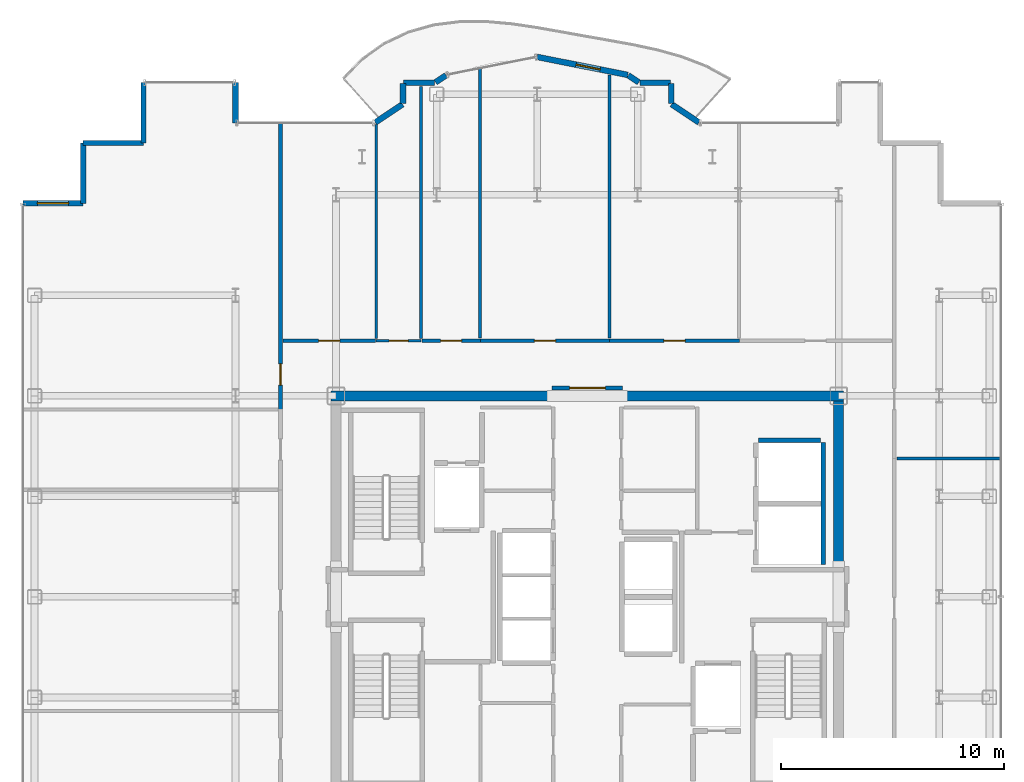
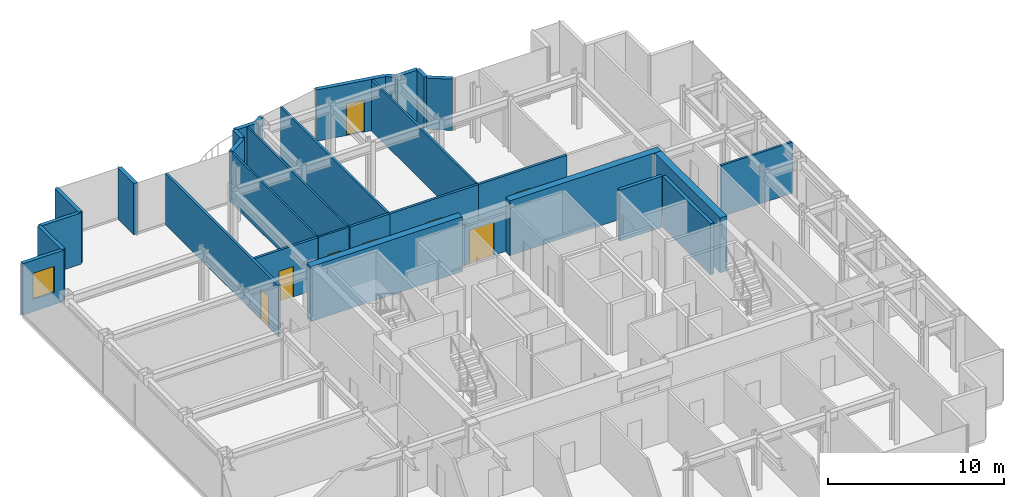
# One storey, part 14 of 17: 31 walls, 8 doors, 1 window, 9 openings.
"""IFC4 building model written with IfcOpenShell, lengths in metres."""

import ifcopenshell
import ifcopenshell.guid

model = None  # the IFC model being written
_history = None  # IfcOwnerHistory: only IFC2X3 demands one
_inside = {}  # id of a spatial element -> (the spatial element, [elements in it])
_under = {}  # id of a project, library or spatial element -> (it, [spatial elements below it])
_declared = {}  # id of a project -> (the project, [libraries it declares])
_typed = {}  # id of a type object -> (the type object, [elements of that type])
_made_of = {}  # id of a material, layer set ... -> (it, [elements and type objects made of it])


def new_model(schema):
    """Start an empty IFC model of exactly this schema.

    Asked for "IFC4X3", IfcOpenShell would pick the latest addendum, in which some entities
    have other attributes; the version numbers below select the first issue.
    IFC2X3 requires an IfcOwnerHistory on every rooted entity: one is made here for all.
    """
    global model, _history
    if schema == "IFC4X3":
        model = ifcopenshell.file(schema_version=(4, 3, 0, 0))
    else:
        model = ifcopenshell.file(schema=schema)
    _inside.clear()
    _under.clear()
    _declared.clear()
    _typed.clear()
    _made_of.clear()
    _history = None
    if model.schema == "IFC2X3":
        org = make("IfcOrganization", Name="unknown")
        user = make(
            "IfcPersonAndOrganization",
            ThePerson=make("IfcPerson", FamilyName="unknown"),
            TheOrganization=org,
        )
        app = make(
            "IfcApplication",
            ApplicationDeveloper=org,
            Version="unknown",
            ApplicationFullName="unknown",
            ApplicationIdentifier="unknown",
        )
        _history = make(
            "IfcOwnerHistory",
            OwningUser=user,
            OwningApplication=app,
            ChangeAction="ADDED",
            CreationDate=0,
        )
    return model


def make(cls, **values):
    """One entity of the class cls with the attributes given. An attribute that is None is left unset."""
    return model.create_entity(
        cls, **{name: value for name, value in values.items() if value is not None}
    )


def rooted(cls, **values):
    """An entity with a GlobalId (a new one), such as an element, a storey or a relation."""
    return make(cls, GlobalId=ifcopenshell.guid.new(), OwnerHistory=_history, **values)


def si_unit(unit_type, name, prefix=None):
    """IfcSIUnit, for example si_unit("LENGTHUNIT", "METRE", prefix="MILLI")."""
    return make("IfcSIUnit", UnitType=unit_type, Prefix=prefix, Name=name)


def assignment(units):
    """IfcUnitAssignment: the units of a project."""
    return None if units is None else make("IfcUnitAssignment", Units=units)


def point(xyz):
    """IfcCartesianPoint."""
    return None if xyz is None else make("IfcCartesianPoint", Coordinates=xyz)


def direction(xyz):
    """IfcDirection."""
    return None if xyz is None else make("IfcDirection", DirectionRatios=xyz)


def frame(location, z_axis=None, x_axis=None):
    """IfcAxis2Placement3D, a coordinate frame: its origin and axes. An axis left out is left unset."""
    return make(
        "IfcAxis2Placement3D",
        Location=point(location),
        Axis=direction(z_axis),
        RefDirection=direction(x_axis),
    )


def frame_2d(location, x_axis=None):
    """IfcAxis2Placement2D, a coordinate frame in the plane: its origin and x axis."""
    return make(
        "IfcAxis2Placement2D", Location=point(location), RefDirection=direction(x_axis)
    )


def origin():
    """The frame at (0, 0, 0) with its axes left unset."""
    return frame((0.0, 0.0, 0.0))


def place(relative_to, where):
    """IfcLocalPlacement: puts the frame where relative to a parent placement (None: the world)."""
    return make(
        "IfcLocalPlacement", PlacementRelTo=relative_to, RelativePlacement=where
    )


def context(
    kind, dimensions, precision=None, world=None, true_north=None, identifier=None
):
    """IfcGeometricRepresentationContext, for example the 3D "Model" context."""
    return make(
        "IfcGeometricRepresentationContext",
        ContextIdentifier=identifier,
        ContextType=kind,
        CoordinateSpaceDimension=dimensions,
        Precision=precision,
        WorldCoordinateSystem=world,
        TrueNorth=true_north,
    )


def subcontext(parent, identifier, kind, view, scale=None):
    """IfcGeometricRepresentationSubContext, for example "Body" below "Model"."""
    return make(
        "IfcGeometricRepresentationSubContext",
        ContextIdentifier=identifier,
        ContextType=kind,
        ParentContext=parent,
        TargetScale=scale,
        TargetView=view,
    )


def project(units=None, contexts=None):
    """IfcProject with its units and contexts."""
    return rooted(
        "IfcProject",
        Name="project",
        RepresentationContexts=contexts,
        UnitsInContext=assignment(units),
    )


def spatial(cls, under=None, at=None, **own):
    """A site, building, storey or space (cls), placed at a placement, below another one or the project."""
    s = rooted(cls, ObjectPlacement=at, **own)
    if under is not None:
        _under.setdefault(under.id(), (under, []))[1].append(s)
    return s


def profile(cls, at=None, kind="AREA", **sizes):
    """A parametric profile (cls). Its sizes go by their IFC names, for example OverallWidth=200.0."""
    return make(cls, ProfileType=kind, Position=at, **sizes)


def rectangle(**sizes):
    """IfcRectangleProfileDef."""
    return profile("IfcRectangleProfileDef", **sizes)


def extrude(swept, where, along, depth):
    """IfcExtrudedAreaSolid: the profile swept, set in the frame where, extruded along a direction by depth."""
    return make(
        "IfcExtrudedAreaSolid",
        SweptArea=swept,
        Position=where,
        ExtrudedDirection=direction(along),
        Depth=depth,
    )


def shape(context_of_items, identifier, shape_type, items):
    """IfcShapeRepresentation: the items that make up one representation, for example the "Body"."""
    return make(
        "IfcShapeRepresentation",
        ContextOfItems=context_of_items,
        RepresentationIdentifier=identifier,
        RepresentationType=shape_type,
        Items=items,
    )


def source(mapping_origin, context_of_items, identifier, shape_type, items):
    """IfcRepresentationMap: a shape defined once, which mapped items show again and again."""
    return make(
        "IfcRepresentationMap",
        MappingOrigin=mapping_origin,
        MappedRepresentation=shape(context_of_items, identifier, shape_type, items),
    )


def transform(
    local_origin,
    x_axis=None,
    y_axis=None,
    z_axis=None,
    scale=None,
    scale2=None,
    scale3=None,
    uniform=True,
):
    """IfcCartesianTransformationOperator3D, or its non-uniform kind. x_axis, y_axis, z_axis: its Axis1, 2, 3."""
    if uniform:
        return make(
            "IfcCartesianTransformationOperator3D",
            Axis1=direction(x_axis),
            Axis2=direction(y_axis),
            LocalOrigin=point(local_origin),
            Scale=scale,
            Axis3=direction(z_axis),
        )
    return make(
        "IfcCartesianTransformationOperator3DnonUniform",
        Axis1=direction(x_axis),
        Axis2=direction(y_axis),
        LocalOrigin=point(local_origin),
        Scale=scale,
        Axis3=direction(z_axis),
        Scale2=scale2,
        Scale3=scale3,
    )


def mapped(mapping_source, mapping_target):
    """IfcMappedItem: shows the shape of a source again, moved by a transform."""
    return make(
        "IfcMappedItem", MappingSource=mapping_source, MappingTarget=mapping_target
    )


def material(Name=None, Category=None):
    """IfcMaterial."""
    return make("IfcMaterial", Name=Name, Category=Category)


def layer(
    of_material, thickness, ventilated=None, Name=None, Category=None, Priority=None
):
    """IfcMaterialLayer: one layer of a wall or slab, of a material (None: an air gap)."""
    return make(
        "IfcMaterialLayer",
        Material=of_material,
        LayerThickness=thickness,
        IsVentilated=ventilated,
        Name=Name,
        Category=Category,
        Priority=Priority,
    )


def layer_set(layers, Name=None):
    """IfcMaterialLayerSet."""
    return make("IfcMaterialLayerSet", MaterialLayers=layers, LayerSetName=Name)


def made_of(thing, what):
    """Note that an element or type object is made of a material, layer set ...; save() writes the relation."""
    if what is not None:
        _made_of.setdefault(what.id(), (what, []))[1].append(thing)
    return thing


def type_object(cls, material=None, **own):
    """A type object (cls), such as IfcWallType, which elements share."""
    return made_of(rooted(cls, **own), material)


def element(
    cls,
    number,
    at=None,
    inside=None,
    cuts=None,
    type_object=None,
    material=None,
    context=None,
    identifier="Body",
    shape_type=None,
    held_by="IfcProductDefinitionShape",
    body=None,
    shapes=None,
    **own,
):
    """One element of the class cls, such as IfcWall. Its Tag is "e" and its number.

    at: its placement. inside: the storey or other place that contains it. cuts: it is an
    opening in that element (IfcRelVoidsElement). A single representation is given by context,
    identifier, shape_type and body (its items); several are given by shapes. held_by: the class
    of the entity that holds the representations. save() writes the other relations.
    """
    e = rooted(cls, Tag="e%d" % number, ObjectPlacement=at, **own)
    if body is not None:
        shapes = [shape(context, identifier, shape_type, body)]
    if shapes is not None:
        e.Representation = make(held_by, Representations=shapes)
    if inside is not None:
        _inside.setdefault(inside.id(), (inside, []))[1].append(e)
    if cuts is not None:
        rooted(
            "IfcRelVoidsElement", RelatingBuildingElement=cuts, RelatedOpeningElement=e
        )
    if type_object is not None:
        _typed.setdefault(type_object.id(), (type_object, []))[1].append(e)
    return made_of(e, material)


def fill(opening, filler):
    """IfcRelFillsElement: the door or window that sits in an opening."""
    return rooted(
        "IfcRelFillsElement",
        RelatingOpeningElement=opening,
        RelatedBuildingElement=filler,
    )


def aggregate(whole, parts):
    """IfcRelAggregates: a whole, such as a stair, and the parts it consists of."""
    return rooted("IfcRelAggregates", RelatingObject=whole, RelatedObjects=parts)


def save(model, path):
    """Write the relations noted so far, then the file.

    IfcRelAggregates (storeys below a building ...), IfcRelContainedInSpatialStructure (elements
    in a storey), IfcRelDefinesByType, IfcRelAssociatesMaterial and IfcRelDeclares: one each for
    every whole, place, type object, material and project.
    """
    for whole, parts in _under.values():
        aggregate(whole, parts)
    for where, things in _inside.values():
        rooted(
            "IfcRelContainedInSpatialStructure",
            RelatedElements=things,
            RelatingStructure=where,
        )
    for kind, things in _typed.values():
        rooted("IfcRelDefinesByType", RelatedObjects=things, RelatingType=kind)
    for what, things in _made_of.values():
        rooted("IfcRelAssociatesMaterial", RelatedObjects=things, RelatingMaterial=what)
    for by, libraries in _declared.values():
        rooted("IfcRelDeclares", RelatingContext=by, RelatedDefinitions=libraries)
    model.write(path)


model = new_model("IFC4")

# Units and contexts
model_context = context("Model", 3, precision=1e-05, world=origin(), true_north=direction((0.0, 1.0)))
body_context = subcontext(model_context, "Body", "Model", "MODEL_VIEW")
ifc_project = project(units=[si_unit("LENGTHUNIT", "METRE"), si_unit("AREAUNIT", "SQUARE_METRE"), si_unit("VOLUMEUNIT", "CUBIC_METRE"), si_unit("PLANEANGLEUNIT", "RADIAN"), si_unit("MASSUNIT", "GRAM", prefix="KILO")], contexts=[model_context])

# Site, building, storey
site_placement = place(None, origin())
site = spatial("IfcSite", under=ifc_project, at=site_placement, CompositionType="ELEMENT")
building_placement = place(site_placement, origin())
building = spatial("IfcBuilding", under=site, at=building_placement, Name="Nefas-Gora Pilgrimage Tower", CompositionType="ELEMENT")
storey_placement = place(building_placement, frame((0.0, 0.0, 279.800048828125)))
storey = spatial("IfcBuildingStorey", under=building, at=storey_placement, Name="L70", CompositionType="ELEMENT", Elevation=279.800048828125)

# Walls
ifc_material_1 = material(Name="Concrete C50/60", Category="concrete")
ifc_layer_1 = layer(ifc_material_1, 0.449951171875)
ifc_layer_set_1 = layer_set([ifc_layer_1], Name="Concrete C50/60")
wall_type_1 = type_object("IfcWallType", Name="SW-CORE-450", PredefinedType="SHEAR", material=ifc_layer_set_1)
shared_shape_1 = source(origin(), body_context, "Body", "SweptSolid", [
    extrude(rectangle(XDim=9.925048828125, YDim=0.449951171875, at=frame_2d((4.96240234375, 0.0))), origin(), (0.0, 0.0, 1.0), 3.800048828125),
])
for number, where, z_axis, x_axis, name in (
    (1, (-11.47509765625, 9.0, 0.0), (0.0, 0.0, 1.0), (1.0, 0.0, 0.0), "L70 Core Shear Wall N-West"),
    (2, (1.550048828125, 9.0, 0.0), (0.0, 0.0, 1.0), (1.0, 0.0, 0.0), "L70 Core Shear Wall N-East"),
):
    element("IfcWall", number, at=place(storey_placement, frame(where, z_axis=z_axis, x_axis=x_axis)), inside=storey, type_object=wall_type_1, Name=name, PredefinedType="SHEAR", context=body_context, shape_type="MappedRepresentation", body=[
        mapped(shared_shape_1, transform((0.0, 0.0, 0.0), x_axis=(1.0, 0.0, 0.0), y_axis=(0.0, 1.0, 0.0), z_axis=(0.0, 0.0, 1.0), scale=1.0)),
    ])
shared_shape_2 = source(origin(), body_context, "Body", "SweptSolid", [
    extrude(rectangle(XDim=7.4248046875, YDim=0.449951171875, at=frame_2d((3.71240234375, 0.0))), origin(), (0.0, 0.0, 1.0), 3.800048828125),
])
wall_1_placement = place(storey_placement, frame((11.25, 1.35009765625, 0.0), z_axis=(0.0, 0.0, 1.0), x_axis=(0.0, 1.0, 0.0)))
element("IfcWall", 3, at=wall_1_placement, inside=storey, type_object=wall_type_1, Name="L70 Core Shear Wall E-North", PredefinedType="SHEAR", context=body_context, shape_type="MappedRepresentation", body=[
    mapped(shared_shape_2, transform((0.0, 0.0, 0.0), x_axis=(1.0, 0.0, 0.0), y_axis=(0.0, 1.0, 0.0), z_axis=(0.0, 0.0, 1.0), scale=1.0)),
])
ifc_material_2 = material(Name="Precast concrete C40/50", Category="concrete")
ifc_layer_2 = layer(ifc_material_2, 0.260009765625)
ifc_layer_set_2 = layer_set([ifc_layer_2], Name="Precast concrete C40/50")
wall_type_2 = type_object("IfcWallType", Name="EW-PORTAL-260", PredefinedType="SOLIDWALL", material=ifc_layer_set_2)
shared_shape_3 = source(origin(), body_context, "Body", "SweptSolid", [
    extrude(rectangle(XDim=1.800048828125, YDim=0.260009765625, at=frame_2d((0.89990234375, 0.0))), origin(), (0.0, 0.0, 1.0), 3.550048828125),
])
wall_2_placement = place(storey_placement, frame((-15.75, 21.219970703125, 0.0), z_axis=(0.0, 0.0, 1.0), x_axis=(0.0, 1.0, 0.0)))
element("IfcWall", 4, at=wall_2_placement, inside=storey, type_object=wall_type_2, Name="L70 Lobe Shoulder Precast Spandrel Pier 17", PredefinedType="SOLIDWALL", context=body_context, shape_type="MappedRepresentation", body=[
    mapped(shared_shape_3, transform((0.0, 0.0, 0.0), x_axis=(1.0, 0.0, 0.0), y_axis=(0.0, 1.0, 0.0), z_axis=(0.0, 0.0, 1.0), scale=1.0)),
])
ifc_material_3 = material(Name="Precast concrete C45/55", Category="concrete")
ifc_layer_3 = layer(ifc_material_3, 0.239990234375)
ifc_layer_set_3 = layer_set([ifc_layer_3], Name="Precast concrete C45/55")
wall_type_3 = type_object("IfcWallType", Name="EW-SERR-240", PredefinedType="SHEAR", material=ifc_layer_set_3)
shared_shape_4 = source(origin(), body_context, "Body", "SweptSolid", [
    extrude(rectangle(XDim=2.699951171875, YDim=0.239990234375, at=frame_2d((1.35009765625, 0.0))), origin(), (0.0, 0.0, 1.0), 3.550048828125),
])
for number, where, z_axis, x_axis, name in (
    (5, (-19.8701171875, 23.02001953125, 0.0), (0.0, 0.0, 1.0), (0.0, -1.0, 0.0), "L70 Serrated Corner Shear Pier Wall 18"),
    (6, (-19.8701171875, 20.320068359375, 0.0), (0.0, 0.0, 1.0), (-1.0, 0.0, 0.0), "L70 Serrated Corner Shear Pier Wall 19"),
    (7, (-22.570068359375, 20.320068359375, 0.0), (0.0, 0.0, 1.0), (0.0, -1.0, 0.0), "L70 Serrated Corner Shear Pier Wall 20"),
):
    element("IfcWall", number, at=place(storey_placement, frame(where, z_axis=z_axis, x_axis=x_axis)), inside=storey, type_object=wall_type_3, Name=name, PredefinedType="SHEAR", context=body_context, shape_type="MappedRepresentation", body=[
        mapped(shared_shape_4, transform((0.0, 0.0, 0.0), x_axis=(1.0, 0.0, 0.0), y_axis=(0.0, 1.0, 0.0), z_axis=(0.0, 0.0, 1.0), scale=1.0)),
    ])

# Wall, opening, window
wall_3_placement = place(storey_placement, frame((-22.570068359375, 17.6201171875, 0.0), z_axis=(0.0, 0.0, 1.0), x_axis=(-1.0, 0.0, 0.0)))
wall_3 = element("IfcWall", 8, at=wall_3_placement, inside=storey, type_object=wall_type_3, Name="L70 Serrated Corner Shear Pier Wall 21", PredefinedType="SHEAR", context=body_context, shape_type="MappedRepresentation", body=[
    mapped(shared_shape_4, transform((0.0, 0.0, 0.0), x_axis=(1.0, 0.0, 0.0), y_axis=(0.0, 1.0, 0.0), z_axis=(0.0, 0.0, 1.0), scale=1.0)),
])
opening_1_placement = place(wall_3_placement, frame((0.64990234375, 0.0, 0.85009765625)))
opening_1 = element("IfcOpeningElement", 9, at=opening_1_placement, cuts=wall_3, Name="Opening W-V2", PredefinedType="OPENING", context=body_context, shape_type="SweptSolid", body=[
    extrude(rectangle(XDim=1.39990234375, YDim=1.800048828125, at=frame_2d((0.699951171875, 0.89990234375))), frame((0.0, 0.1298828125, 0.0), z_axis=(0.0, -1.0, 0.0), x_axis=(1.0, 0.0, 0.0)), (0.0, 0.0, 1.0), 0.260009765625),
])
ifc_material_4 = material(Name="Dark ceramic-fritted operable aluminium-glass window", Category="aluminium")
window_type = type_object("IfcWindowType", Name="WIN-VENT-1400x1800", PartitioningType="SINGLE_PANEL", PredefinedType="WINDOW", material=ifc_material_4)
shared_shape_5 = source(origin(), body_context, "Body", "SweptSolid", [
    extrude(rectangle(XDim=1.39990234375, YDim=1.800048828125, at=frame_2d((0.699951171875, 0.89990234375))), frame((0.0, 0.030029296875, 0.0), z_axis=(0.0, -1.0, 0.0), x_axis=(1.0, 0.0, 0.0)), (0.0, 0.0, 1.0), 0.06005859375),
])
window_placement = place(opening_1_placement, origin())
window = element("IfcWindow", 10, at=window_placement, inside=storey, type_object=window_type, Name="L70 Operable Parallel-Outswing Window 21", OverallHeight=1.800048828125, OverallWidth=1.39990234375, PartitioningType="SINGLE_PANEL", PredefinedType="WINDOW", context=body_context, shape_type="MappedRepresentation", body=[
    mapped(shared_shape_5, transform((0.0, 0.0, 0.0), x_axis=(1.0, 0.0, 0.0), y_axis=(0.0, 1.0, 0.0), z_axis=(0.0, 0.0, 1.0), scale=1.0)),
])
fill(opening_1, window)

# Walls
shared_shape_6 = source(origin(), body_context, "Body", "SweptSolid", [
    extrude(rectangle(XDim=1.468994140625, YDim=0.260009765625, at=frame_2d((0.734375, 0.0))), origin(), (0.0, 0.0, 1.0), 3.550048828125),
])
for number, where, z_axis, x_axis, name in (
    (11, (4.99462890625, 21.235595703125, 0.0), (0.0, 0.0, 1.0), (-0.831461760506, 0.555581983884, 0.0), "L70 Lobe Shoulder Precast Spandrel Pier 8"),
    (12, (-8.273193359375, 22.0517578125, 0.0), (0.0, 0.0, 1.0), (-0.831461760506, -0.555581983884, 0.0), "L70 Lobe Shoulder Precast Spandrel Pier 16"),
):
    element("IfcWall", number, at=place(storey_placement, frame(where, z_axis=z_axis, x_axis=x_axis)), inside=storey, type_object=wall_type_2, Name=name, PredefinedType="SOLIDWALL", context=body_context, shape_type="MappedRepresentation", body=[
        mapped(shared_shape_6, transform((0.0, 0.0, 0.0), x_axis=(1.0, 0.0, 0.0), y_axis=(0.0, 1.0, 0.0), z_axis=(0.0, 0.0, 1.0), scale=1.0)),
    ])
shared_shape_7 = source(origin(), body_context, "Body", "SweptSolid", [
    extrude(rectangle(XDim=0.896728515625, YDim=0.260009765625, at=frame_2d((0.4482421875, 0.0))), origin(), (0.0, 0.0, 1.0), 3.550048828125),
])
for number, where, z_axis, x_axis, name in (
    (13, (3.75, 22.09521484375, 0.0), (0.0, 0.0, 1.0), (0.0, 1.0, 0.0), "L70 Lobe Shoulder Precast Spandrel Pier 9"),
    (14, (-8.25, 22.991943359375, 0.0), (0.0, 0.0, 1.0), (0.0, -1.0, 0.0), "L70 Lobe Shoulder Precast Spandrel Pier 15"),
):
    element("IfcWall", number, at=place(storey_placement, frame(where, z_axis=z_axis, x_axis=x_axis)), inside=storey, type_object=wall_type_2, Name=name, PredefinedType="SOLIDWALL", context=body_context, shape_type="MappedRepresentation", body=[
        mapped(shared_shape_7, transform((0.0, 0.0, 0.0), x_axis=(1.0, 0.0, 0.0), y_axis=(0.0, 1.0, 0.0), z_axis=(0.0, 0.0, 1.0), scale=1.0)),
    ])
shared_shape_8 = source(origin(), body_context, "Body", "SweptSolid", [
    extrude(rectangle(XDim=1.369873046875, YDim=0.260009765625, at=frame_2d((0.68505859375, 0.0))), origin(), (0.0, 0.0, 1.0), 3.550048828125),
])
for number, where, z_axis, x_axis, name in (
    (15, (3.721923828125, 23.02001953125, 0.0), (0.0, 0.0, 1.0), (-1.0, 0.0, 0.0), "L70 Lobe Shoulder Precast Spandrel Pier 10"),
    (16, (-6.85205078125, 23.02001953125, 0.0), (0.0, 0.0, 1.0), (-1.0, 0.0, 0.0), "L70 Lobe Shoulder Precast Spandrel Pier 14"),
):
    element("IfcWall", number, at=place(storey_placement, frame(where, z_axis=z_axis, x_axis=x_axis)), inside=storey, type_object=wall_type_2, Name=name, PredefinedType="SOLIDWALL", context=body_context, shape_type="MappedRepresentation", body=[
        mapped(shared_shape_8, transform((0.0, 0.0, 0.0), x_axis=(1.0, 0.0, 0.0), y_axis=(0.0, 1.0, 0.0), z_axis=(0.0, 0.0, 1.0), scale=1.0)),
    ])
shared_shape_9 = source(origin(), body_context, "Body", "SweptSolid", [
    extrude(rectangle(XDim=0.5654296875, YDim=0.260009765625, at=frame_2d((0.28271484375, 0.0))), origin(), (0.0, 0.0, 1.0), 3.550048828125),
])
for number, where, z_axis, x_axis, name in (
    (17, (2.30078125, 23.03564453125, 0.0), (0.0, 0.0, 1.0), (-0.831651492666, 0.555297933317, 0.0), "L70 Lobe Shoulder Precast Spandrel Pier 11"),
    (18, (-6.33056640625, 23.349609375, 0.0), (0.0, 0.0, 1.0), (-0.831651492666, -0.555297933317, 0.0), "L70 Lobe Shoulder Precast Spandrel Pier 13"),
):
    element("IfcWall", number, at=place(storey_placement, frame(where, z_axis=z_axis, x_axis=x_axis)), inside=storey, type_object=wall_type_2, Name=name, PredefinedType="SOLIDWALL", context=body_context, shape_type="MappedRepresentation", body=[
        mapped(shared_shape_9, transform((0.0, 0.0, 0.0), x_axis=(1.0, 0.0, 0.0), y_axis=(0.0, 1.0, 0.0), z_axis=(0.0, 0.0, 1.0), scale=1.0)),
    ])

# Wall, opening, door
shared_shape_10 = source(origin(), body_context, "Body", "SweptSolid", [
    extrude(rectangle(XDim=4.136962890625, YDim=0.260009765625, at=frame_2d((2.068359375, 0.0))), origin(), (0.0, 0.0, 1.0), 3.550048828125),
])
wall_4_placement = place(storey_placement, frame((1.807373046875, 23.365234375, 0.0), z_axis=(0.0, 0.0, 1.0), x_axis=(-0.980782170794, 0.195105954428, 0.0)))
wall_4 = element("IfcWall", 19, at=wall_4_placement, inside=storey, type_object=wall_type_2, Name="L70 Insulated Terrace Portal Wall 12", PredefinedType="SOLIDWALL", context=body_context, shape_type="MappedRepresentation", body=[
    mapped(shared_shape_10, transform((0.0, 0.0, 0.0), x_axis=(1.0, 0.0, 0.0), y_axis=(0.0, 1.0, 0.0), z_axis=(0.0, 0.0, 1.0), scale=1.0)),
])
opening_2_placement = place(wall_4_placement, frame((1.2607421875, 0.0, 0.0)))
opening_2 = element("IfcOpeningElement", 20, at=opening_2_placement, cuts=wall_4, Name="Opening ED-B1", PredefinedType="OPENING", context=body_context, shape_type="SweptSolid", body=[
    extrude(rectangle(XDim=1.10009765625, YDim=2.199951171875, at=frame_2d((0.550048828125, 1.10009765625))), frame((0.0, 0.139892578125, 0.0), z_axis=(0.0, -1.0, 0.0), x_axis=(1.0, 0.0, 0.0)), (0.0, 0.0, 1.0), 0.280029296875),
])
ifc_material_5 = material(Name="Thermally broken glazed aluminium balcony door", Category="aluminium")
door_type_1 = type_object("IfcDoorType", Name="DR-EXT-BAL-1100", OperationType="NOTDEFINED", PredefinedType="DOOR", material=ifc_material_5)
shared_shape_11 = source(origin(), body_context, "Body", "SweptSolid", [
    extrude(rectangle(XDim=1.10009765625, YDim=2.199951171875, at=frame_2d((0.550048828125, 1.10009765625))), frame((0.0, 0.02490234375, 0.0), z_axis=(0.0, -1.0, 0.0), x_axis=(1.0, 0.0, 0.0)), (0.0, 0.0, 1.0), 0.050048828125),
])
door_1_placement = place(opening_2_placement, origin())
door_1 = element("IfcDoor", 21, at=door_1_placement, inside=storey, type_object=door_type_1, Name="L70 Exterior Door (L70 N Lobe Wave Balcony)", OperationType="SINGLE_SWING_RIGHT", OverallHeight=2.199951171875, OverallWidth=1.10009765625, PredefinedType="DOOR", context=body_context, shape_type="MappedRepresentation", body=[
    mapped(shared_shape_11, transform((0.0, 0.0, 0.0), x_axis=(1.0, 0.0, 0.0), y_axis=(0.0, 1.0, 0.0), z_axis=(0.0, 0.0, 1.0), scale=1.0)),
])
fill(opening_2, door_1)

# Walls
ifc_material_6 = material(Name="Concrete C40/50", Category="concrete")
ifc_layer_4 = layer(ifc_material_6, 0.219970703125)
ifc_layer_set_4 = layer_set([ifc_layer_4], Name="Concrete C40/50")
wall_type_4 = type_object("IfcWallType", Name="IW-SHAFT-220", PredefinedType="SOLIDWALL", material=ifc_layer_set_4)
shared_shape_12 = source(origin(), body_context, "Body", "SweptSolid", [
    extrude(rectangle(XDim=5.449951171875, YDim=0.219970703125, at=frame_2d((2.72509765625, 0.0))), origin(), (0.0, 0.0, 1.0), 3.534912109375),
])
wall_5_placement = place(storey_placement, frame((10.56005859375, 1.449951171875, 0.0), z_axis=(0.0, 0.0, 1.0), x_axis=(0.0, 1.0, 0.0)))
element("IfcWall", 22, at=wall_5_placement, inside=storey, type_object=wall_type_4, Name="L70 Hoistway Wall SL-01-02-E", PredefinedType="SOLIDWALL", context=body_context, shape_type="MappedRepresentation", body=[
    mapped(shared_shape_12, transform((0.0, 0.0, 0.0), x_axis=(1.0, 0.0, 0.0), y_axis=(0.0, 1.0, 0.0), z_axis=(0.0, 0.0, 1.0), scale=1.0)),
])
shared_shape_13 = source(origin(), body_context, "Body", "SweptSolid", [
    extrude(rectangle(XDim=2.780029296875, YDim=0.219970703125, at=frame_2d((1.39013671875, 0.0))), origin(), (0.0, 0.0, 1.0), 3.534912109375),
])
wall_6_placement = place(storey_placement, frame((10.43994140625, 7.010009765625, 0.0), z_axis=(0.0, 0.0, 1.0), x_axis=(-1.0, 0.0, 0.0)))
element("IfcWall", 23, at=wall_6_placement, inside=storey, type_object=wall_type_4, Name="L70 Hoistway Wall SL-02-N", PredefinedType="SOLIDWALL", context=body_context, shape_type="MappedRepresentation", body=[
    mapped(shared_shape_13, transform((0.0, 0.0, 0.0), x_axis=(1.0, 0.0, 0.0), y_axis=(0.0, 1.0, 0.0), z_axis=(0.0, 0.0, 1.0), scale=1.0)),
])

# Wall, opening, door
ifc_material_7 = material(Name="Moisture-resistant fire-rated gypsum partition")
ifc_layer_5 = layer(ifc_material_7, 0.1201171875)
ifc_layer_set_5 = layer_set([ifc_layer_5], Name="Moisture-resistant fire-rated gypsum partition")
wall_type_5 = type_object("IfcWallType", Name="IW-WET-120", PredefinedType="PLUMBINGWALL", material=ifc_layer_set_5)
shared_shape_14 = source(origin(), body_context, "Body", "SweptSolid", [
    extrude(rectangle(XDim=2.02001953125, YDim=0.1201171875, at=frame_2d((1.010009765625, 0.0))), origin(), (0.0, 0.0, 1.0), 3.534912109375),
])
wall_7_placement = place(storey_placement, frame((-9.4599609375, 11.469970703125, 0.0), z_axis=(0.0, 0.0, 1.0), x_axis=(1.0, 0.0, 0.0)))
wall_7 = element("IfcWall", 24, at=wall_7_placement, inside=storey, type_object=wall_type_5, Name="L70 Accessible Unisex WC Partition Wall 36", PredefinedType="PLUMBINGWALL", context=body_context, shape_type="MappedRepresentation", body=[
    mapped(shared_shape_14, transform((0.0, 0.0, 0.0), x_axis=(1.0, 0.0, 0.0), y_axis=(0.0, 1.0, 0.0), z_axis=(0.0, 0.0, 1.0), scale=1.0)),
])
opening_3_placement = place(wall_7_placement, frame((0.5849609375, 0.0, 0.0)))
opening_3 = element("IfcOpeningElement", 25, at=opening_3_placement, cuts=wall_7, Name="Opening ID-BT1", PredefinedType="OPENING", context=body_context, shape_type="SweptSolid", body=[
    extrude(rectangle(XDim=0.85009765625, YDim=2.10009765625, at=frame_2d((0.425048828125, 1.050048828125))), frame((0.0, 0.070068359375, 0.0), z_axis=(0.0, -1.0, 0.0), x_axis=(1.0, 0.0, 0.0)), (0.0, 0.0, 1.0), 0.14013671875),
])
ifc_material_8 = material(Name="Moisture-resistant fire-rated timber door", Category="wood")
door_type_2 = type_object("IfcDoorType", Name="DR-INT-BATH-850", OperationType="NOTDEFINED", PredefinedType="DOOR", material=ifc_material_8)
shared_shape_15 = source(origin(), body_context, "Body", "SweptSolid", [
    extrude(rectangle(XDim=0.85009765625, YDim=2.10009765625, at=frame_2d((0.425048828125, 1.050048828125))), frame((0.0, 0.02490234375, 0.0), z_axis=(0.0, -1.0, 0.0), x_axis=(1.0, 0.0, 0.0)), (0.0, 0.0, 1.0), 0.050048828125),
])
door_2_placement = place(opening_3_placement, origin())
door_2 = element("IfcDoor", 26, at=door_2_placement, inside=storey, type_object=door_type_2, Name="L70 Accessible Unisex WC Door 15", OperationType="SINGLE_SWING_LEFT", OverallHeight=2.10009765625, OverallWidth=0.85009765625, PredefinedType="DOOR", context=body_context, shape_type="MappedRepresentation", body=[
    mapped(shared_shape_15, transform((0.0, 0.0, 0.0), x_axis=(1.0, 0.0, 0.0), y_axis=(0.0, 1.0, 0.0), z_axis=(0.0, 0.0, 1.0), scale=1.0)),
])
fill(opening_3, door_2)

# Walls
shared_shape_16 = source(origin(), body_context, "Body", "SweptSolid", [
    extrude(rectangle(XDim=11.280029296875, YDim=0.1201171875, at=frame_2d((5.64013671875, 0.0))), origin(), (0.0, 0.0, 1.0), 3.534912109375),
])
wall_8_placement = place(storey_placement, frame((-7.449951171875, 11.570068359375, 0.0), z_axis=(0.0, 0.0, 1.0), x_axis=(0.0, 1.0, 0.0)))
element("IfcWall", 27, at=wall_8_placement, inside=storey, type_object=wall_type_5, Name="L70 Accessible Unisex WC Partition Wall 37", PredefinedType="PLUMBINGWALL", context=body_context, shape_type="MappedRepresentation", body=[
    mapped(shared_shape_16, transform((0.0, 0.0, 0.0), x_axis=(1.0, 0.0, 0.0), y_axis=(0.0, 1.0, 0.0), z_axis=(0.0, 0.0, 1.0), scale=1.0)),
])
shared_shape_17 = source(origin(), body_context, "Body", "SweptSolid", [
    extrude(rectangle(XDim=9.586669921875, YDim=0.1201171875, at=frame_2d((4.79345703125, 0.0))), origin(), (0.0, 0.0, 1.0), 3.534912109375),
])
wall_9_placement = place(storey_placement, frame((-9.449951171875, 11.570068359375, 0.0), z_axis=(0.0, 0.0, 1.0), x_axis=(0.0, 1.0, 0.0)))
element("IfcWall", 28, at=wall_9_placement, inside=storey, type_object=wall_type_5, Name="L70 Accessible Unisex WC Partition Wall 38", PredefinedType="PLUMBINGWALL", context=body_context, shape_type="MappedRepresentation", body=[
    mapped(shared_shape_17, transform((0.0, 0.0, 0.0), x_axis=(1.0, 0.0, 0.0), y_axis=(0.0, 1.0, 0.0), z_axis=(0.0, 0.0, 1.0), scale=1.0)),
])

# Wall, opening, door
ifc_material_9 = material(Name="Gypsum acoustic stud partition")
ifc_layer_6 = layer(ifc_material_9, 0.159912109375)
ifc_layer_set_6 = layer_set([ifc_layer_6], Name="Gypsum acoustic stud partition")
wall_type_6 = type_object("IfcWallType", Name="IW-CORR-160", PredefinedType="PARTITIONING", material=ifc_layer_set_6)
shared_shape_18 = source(origin(), body_context, "Body", "SweptSolid", [
    extrude(rectangle(XDim=4.125, YDim=0.159912109375, at=frame_2d((2.0625, 0.0))), origin(), (0.0, 0.0, 1.0), 3.534912109375),
])
wall_10_placement = place(storey_placement, frame((-13.6201171875, 11.469970703125, 0.0), z_axis=(0.0, 0.0, 1.0), x_axis=(1.0, 0.0, 0.0)))
wall_10 = element("IfcWall", 29, at=wall_10_placement, inside=storey, type_object=wall_type_6, Name="L70 Pilgrim Contemplative Lounge Partition Wall 53", PredefinedType="PARTITIONING", context=body_context, shape_type="MappedRepresentation", body=[
    mapped(shared_shape_18, transform((0.0, 0.0, 0.0), x_axis=(1.0, 0.0, 0.0), y_axis=(0.0, 1.0, 0.0), z_axis=(0.0, 0.0, 1.0), scale=1.0)),
])
opening_4_placement = place(wall_10_placement, frame((1.58740234375, 0.0, 0.0)))
opening_4 = element("IfcOpeningElement", 30, at=opening_4_placement, cuts=wall_10, Name="Opening ID-GR1", PredefinedType="OPENING", context=body_context, shape_type="SweptSolid", body=[
    extrude(rectangle(XDim=0.949951171875, YDim=2.10009765625, at=frame_2d((0.47509765625, 1.050048828125))), frame((0.0, 0.08984375, 0.0), z_axis=(0.0, -1.0, 0.0), x_axis=(1.0, 0.0, 0.0)), (0.0, 0.0, 1.0), 0.179931640625),
])
ifc_material_10 = material(Name="Solid core oak fire-rated guest entrance door")
door_type_3 = type_object("IfcDoorType", Name="DR-INT-GUEST-950", OperationType="NOTDEFINED", PredefinedType="DOOR", material=ifc_material_10)
shared_shape_19 = source(origin(), body_context, "Body", "SweptSolid", [
    extrude(rectangle(XDim=0.949951171875, YDim=2.10009765625, at=frame_2d((0.47509765625, 1.050048828125))), frame((0.0, 0.02490234375, 0.0), z_axis=(0.0, -1.0, 0.0), x_axis=(1.0, 0.0, 0.0)), (0.0, 0.0, 1.0), 0.050048828125),
])
door_3_placement = place(opening_4_placement, origin())
door_3 = element("IfcDoor", 31, at=door_3_placement, inside=storey, type_object=door_type_3, Name="L70 Pilgrim Contemplative Lounge Door 24", OperationType="SINGLE_SWING_RIGHT", OverallHeight=2.10009765625, OverallWidth=0.949951171875, PredefinedType="DOOR", context=body_context, shape_type="MappedRepresentation", body=[
    mapped(shared_shape_19, transform((0.0, 0.0, 0.0), x_axis=(1.0, 0.0, 0.0), y_axis=(0.0, 1.0, 0.0), z_axis=(0.0, 0.0, 1.0), scale=1.0)),
])
fill(opening_4, door_3)

shared_shape_20 = source(origin(), body_context, "Body", "SweptSolid", [
    extrude(rectangle(XDim=12.844970703125, YDim=0.159912109375, at=frame_2d((6.42236328125, 0.0))), origin(), (0.0, 0.0, 1.0), 3.534912109375),
])
wall_11_placement = place(storey_placement, frame((-13.739990234375, 8.39501953125, 0.0), z_axis=(0.0, 0.0, 1.0), x_axis=(0.0, 1.0, 0.0)))
wall_11 = element("IfcWall", 32, at=wall_11_placement, inside=storey, type_object=wall_type_6, Name="L70 Pilgrim Fellowship Seminar Room Partition Wall 47", PredefinedType="PARTITIONING", context=body_context, shape_type="MappedRepresentation", body=[
    mapped(shared_shape_20, transform((0.0, 0.0, 0.0), x_axis=(1.0, 0.0, 0.0), y_axis=(0.0, 1.0, 0.0), z_axis=(0.0, 0.0, 1.0), scale=1.0)),
])
opening_5_placement = place(wall_11_placement, frame((1.08251953125, 0.0, 0.0)))
opening_5 = element("IfcOpeningElement", 33, at=opening_5_placement, cuts=wall_11, Name="Opening ID-GR1", PredefinedType="OPENING", context=body_context, shape_type="SweptSolid", body=[
    extrude(rectangle(XDim=0.949951171875, YDim=2.10009765625, at=frame_2d((0.47509765625, 1.050048828125))), frame((0.0, 0.08984375, 0.0), z_axis=(0.0, -1.0, 0.0), x_axis=(1.0, 0.0, 0.0)), (0.0, 0.0, 1.0), 0.179931640625),
])
door_4_placement = place(opening_5_placement, origin())
door_4 = element("IfcDoor", 34, at=door_4_placement, inside=storey, type_object=door_type_3, Name="L70 Pilgrim Fellowship Seminar Room Door 20", OperationType="SINGLE_SWING_RIGHT", OverallHeight=2.10009765625, OverallWidth=0.949951171875, PredefinedType="DOOR", context=body_context, shape_type="MappedRepresentation", body=[
    mapped(shared_shape_19, transform((0.0, 0.0, 0.0), x_axis=(1.0, 0.0, 0.0), y_axis=(0.0, 1.0, 0.0), z_axis=(0.0, 0.0, 1.0), scale=1.0)),
])
fill(opening_5, door_4)

shared_shape_21 = source(origin(), body_context, "Body", "SweptSolid", [
    extrude(rectangle(XDim=2.610107421875, YDim=0.159912109375, at=frame_2d((1.30517578125, 0.0))), origin(), (0.0, 0.0, 1.0), 3.534912109375),
])
wall_12_placement = place(storey_placement, frame((-7.405029296875, 11.469970703125, 0.0), z_axis=(0.0, 0.0, 1.0), x_axis=(1.0, 0.0, 0.0)))
wall_12 = element("IfcWall", 35, at=wall_12_placement, inside=storey, type_object=wall_type_6, Name="L70 Pilgrim Contemplative Lounge Partition Wall 54", PredefinedType="PARTITIONING", context=body_context, shape_type="MappedRepresentation", body=[
    mapped(shared_shape_21, transform((0.0, 0.0, 0.0), x_axis=(1.0, 0.0, 0.0), y_axis=(0.0, 1.0, 0.0), z_axis=(0.0, 0.0, 1.0), scale=1.0)),
])
opening_6_placement = place(wall_12_placement, frame((0.830078125, 0.0, 0.0)))
opening_6 = element("IfcOpeningElement", 36, at=opening_6_placement, cuts=wall_12, Name="Opening ID-GR1", PredefinedType="OPENING", context=body_context, shape_type="SweptSolid", body=[
    extrude(rectangle(XDim=0.949951171875, YDim=2.10009765625, at=frame_2d((0.47509765625, 1.050048828125))), frame((0.0, 0.08984375, 0.0), z_axis=(0.0, -1.0, 0.0), x_axis=(1.0, 0.0, 0.0)), (0.0, 0.0, 1.0), 0.179931640625),
])
door_5_placement = place(opening_6_placement, origin())
door_5 = element("IfcDoor", 37, at=door_5_placement, inside=storey, type_object=door_type_3, Name="L70 Pilgrim Contemplative Lounge Door 25", OperationType="SINGLE_SWING_LEFT", OverallHeight=2.10009765625, OverallWidth=0.949951171875, PredefinedType="DOOR", context=body_context, shape_type="MappedRepresentation", body=[
    mapped(shared_shape_19, transform((0.0, 0.0, 0.0), x_axis=(1.0, 0.0, 0.0), y_axis=(0.0, 1.0, 0.0), z_axis=(0.0, 0.0, 1.0), scale=1.0)),
])
fill(opening_6, door_5)

# Wall
ifc_material_11 = material(Name="Gypsum twin-stud partition")
ifc_layer_7 = layer(ifc_material_11, 0.139892578125)
ifc_layer_set_7 = layer_set([ifc_layer_7], Name="Gypsum twin-stud partition")
wall_type_7 = type_object("IfcWallType", Name="IW-UNIT-140", PredefinedType="PARTITIONING", material=ifc_layer_set_7)
shared_shape_22 = source(origin(), body_context, "Body", "SweptSolid", [
    extrude(rectangle(XDim=12.096435546875, YDim=0.139892578125, at=frame_2d((6.04833984375, 0.0))), origin(), (0.0, 0.0, 1.0), 3.534912109375),
])
wall_13_placement = place(storey_placement, frame((-4.804931640625, 11.590087890625, 0.0), z_axis=(0.0, 0.0, 1.0), x_axis=(0.0, 1.0, 0.0)))
element("IfcWall", 38, at=wall_13_placement, inside=storey, type_object=wall_type_7, Name="L70 Pilgrim Contemplative Lounge Partition Wall 55", PredefinedType="PARTITIONING", context=body_context, shape_type="MappedRepresentation", body=[
    mapped(shared_shape_22, transform((0.0, 0.0, 0.0), x_axis=(1.0, 0.0, 0.0), y_axis=(0.0, 1.0, 0.0), z_axis=(0.0, 0.0, 1.0), scale=1.0)),
])

# Wall, opening, door
shared_shape_23 = source(origin(), body_context, "Body", "SweptSolid", [
    extrude(rectangle(XDim=5.804931640625, YDim=0.159912109375, at=frame_2d((2.90234375, 0.0))), origin(), (0.0, 0.0, 1.0), 3.534912109375),
])
wall_14_placement = place(storey_placement, frame((-4.804931640625, 11.469970703125, 0.0), z_axis=(0.0, 0.0, 1.0), x_axis=(1.0, 0.0, 0.0)))
wall_14 = element("IfcWall", 39, at=wall_14_placement, inside=storey, type_object=wall_type_6, Name="L70 Pilgrim Contemplative Lounge Partition Wall 56", PredefinedType="PARTITIONING", context=body_context, shape_type="MappedRepresentation", body=[
    mapped(shared_shape_23, transform((0.0, 0.0, 0.0), x_axis=(1.0, 0.0, 0.0), y_axis=(0.0, 1.0, 0.0), z_axis=(0.0, 0.0, 1.0), scale=1.0)),
])
opening_7_placement = place(wall_14_placement, frame((2.427490234375, 0.0, 0.0)))
opening_7 = element("IfcOpeningElement", 40, at=opening_7_placement, cuts=wall_14, Name="Opening ID-GR1", PredefinedType="OPENING", context=body_context, shape_type="SweptSolid", body=[
    extrude(rectangle(XDim=0.949951171875, YDim=2.10009765625, at=frame_2d((0.47509765625, 1.050048828125))), frame((0.0, 0.08984375, 0.0), z_axis=(0.0, -1.0, 0.0), x_axis=(1.0, 0.0, 0.0)), (0.0, 0.0, 1.0), 0.179931640625),
])
door_6_placement = place(opening_7_placement, origin())
door_6 = element("IfcDoor", 41, at=door_6_placement, inside=storey, type_object=door_type_3, Name="L70 Pilgrim Contemplative Lounge Door 26", OperationType="SINGLE_SWING_RIGHT", OverallHeight=2.10009765625, OverallWidth=0.949951171875, PredefinedType="DOOR", context=body_context, shape_type="MappedRepresentation", body=[
    mapped(shared_shape_19, transform((0.0, 0.0, 0.0), x_axis=(1.0, 0.0, 0.0), y_axis=(0.0, 1.0, 0.0), z_axis=(0.0, 0.0, 1.0), scale=1.0)),
])
fill(opening_7, door_6)

wall_15_placement = place(storey_placement, frame((1.0, 11.469970703125, 0.0), z_axis=(0.0, 0.0, 1.0), x_axis=(1.0, 0.0, 0.0)))
wall_15 = element("IfcWall", 42, at=wall_15_placement, inside=storey, type_object=wall_type_6, Name="L70 Pilgrim Contemplative Lounge Partition Wall 58", PredefinedType="PARTITIONING", context=body_context, shape_type="MappedRepresentation", body=[
    mapped(shared_shape_23, transform((0.0, 0.0, 0.0), x_axis=(1.0, 0.0, 0.0), y_axis=(0.0, 1.0, 0.0), z_axis=(0.0, 0.0, 1.0), scale=1.0)),
])
opening_8_placement = place(wall_15_placement, frame((2.427490234375, 0.0, 0.0)))
opening_8 = element("IfcOpeningElement", 43, at=opening_8_placement, cuts=wall_15, Name="Opening ID-GR1", PredefinedType="OPENING", context=body_context, shape_type="SweptSolid", body=[
    extrude(rectangle(XDim=0.949951171875, YDim=2.10009765625, at=frame_2d((0.47509765625, 1.050048828125))), frame((0.0, 0.08984375, 0.0), z_axis=(0.0, -1.0, 0.0), x_axis=(1.0, 0.0, 0.0)), (0.0, 0.0, 1.0), 0.179931640625),
])
door_7_placement = place(opening_8_placement, origin())
door_7 = element("IfcDoor", 44, at=door_7_placement, inside=storey, type_object=door_type_3, Name="L70 Pilgrim Contemplative Lounge Door 27", OperationType="SINGLE_SWING_LEFT", OverallHeight=2.10009765625, OverallWidth=0.949951171875, PredefinedType="DOOR", context=body_context, shape_type="MappedRepresentation", body=[
    mapped(shared_shape_19, transform((0.0, 0.0, 0.0), x_axis=(1.0, 0.0, 0.0), y_axis=(0.0, 1.0, 0.0), z_axis=(0.0, 0.0, 1.0), scale=1.0)),
])
fill(opening_8, door_7)

shared_shape_24 = source(origin(), body_context, "Body", "SweptSolid", [
    extrude(rectangle(XDim=3.16015625, YDim=0.159912109375, at=frame_2d((1.580078125, 0.0))), origin(), (0.0, 0.0, 1.0), 2.625),
])
wall_16_placement = place(storey_placement, frame((-1.580078125, 9.35009765625, 0.0), z_axis=(0.0, 0.0, 1.0), x_axis=(1.0, 0.0, 0.0)))
wall_16 = element("IfcWall", 45, at=wall_16_placement, inside=storey, type_object=wall_type_6, Name="L70 Central Lift Lobby North Portal Wall 16", PredefinedType="PARTITIONING", context=body_context, shape_type="MappedRepresentation", body=[
    mapped(shared_shape_24, transform((0.0, 0.0, 0.0), x_axis=(1.0, 0.0, 0.0), y_axis=(0.0, 1.0, 0.0), z_axis=(0.0, 0.0, 1.0), scale=1.0)),
])
opening_9_placement = place(wall_16_placement, frame((0.780029296875, 0.0, 0.0)))
opening_9 = element("IfcOpeningElement", 46, at=opening_9_placement, cuts=wall_16, Name="Opening ID-HL1", PredefinedType="OPENING", context=body_context, shape_type="SweptSolid", body=[
    extrude(rectangle(XDim=1.60009765625, YDim=2.300048828125, at=frame_2d((0.800048828125, 1.14990234375))), frame((0.0, 0.08984375, 0.0), z_axis=(0.0, -1.0, 0.0), x_axis=(1.0, 0.0, 0.0)), (0.0, 0.0, 1.0), 0.179931640625),
])
ifc_material_12 = material(Name="Double acoustic timber assembly hall door", Category="wood")
door_type_4 = type_object("IfcDoorType", Name="DR-INT-HALL-1600", OperationType="DOUBLE_DOOR_SINGLE_SWING", PredefinedType="DOOR", material=ifc_material_12)
shared_shape_25 = source(origin(), body_context, "Body", "SweptSolid", [
    extrude(rectangle(XDim=1.60009765625, YDim=2.300048828125, at=frame_2d((0.800048828125, 1.14990234375))), frame((0.0, 0.02490234375, 0.0), z_axis=(0.0, -1.0, 0.0), x_axis=(1.0, 0.0, 0.0)), (0.0, 0.0, 1.0), 0.050048828125),
])
door_8_placement = place(opening_9_placement, origin())
door_8 = element("IfcDoor", 47, at=door_8_placement, inside=storey, type_object=door_type_4, Name="L70 Central Lift Lobby North Portal Door 6", OperationType="DOUBLE_DOOR_SINGLE_SWING", OverallHeight=2.300048828125, OverallWidth=1.60009765625, PredefinedType="DOOR", context=body_context, shape_type="MappedRepresentation", body=[
    mapped(shared_shape_25, transform((0.0, 0.0, 0.0), x_axis=(1.0, 0.0, 0.0), y_axis=(0.0, 1.0, 0.0), z_axis=(0.0, 0.0, 1.0), scale=1.0)),
])
fill(opening_9, door_8)

# Walls
shared_shape_26 = source(origin(), body_context, "Body", "SweptSolid", [
    extrude(rectangle(XDim=11.7646484375, YDim=0.139892578125, at=frame_2d((5.88232421875, 0.0))), origin(), (0.0, 0.0, 1.0), 3.534912109375),
])
wall_17_placement = place(storey_placement, frame((0.989990234375, 11.590087890625, 0.0), z_axis=(0.0, 0.0, 1.0), x_axis=(0.0, 1.0, 0.0)))
element("IfcWall", 48, at=wall_17_placement, inside=storey, type_object=wall_type_7, Name="L70 Pilgrim Contemplative Lounge Partition Wall 57", PredefinedType="PARTITIONING", context=body_context, shape_type="MappedRepresentation", body=[
    mapped(shared_shape_26, transform((0.0, 0.0, 0.0), x_axis=(1.0, 0.0, 0.0), y_axis=(0.0, 1.0, 0.0), z_axis=(0.0, 0.0, 1.0), scale=1.0)),
])
shared_shape_27 = source(origin(), body_context, "Body", "SweptSolid", [
    extrude(rectangle(XDim=4.679931640625, YDim=0.139892578125, at=frame_2d((2.33984375, 0.0))), origin(), (0.0, 0.0, 1.0), 3.534912109375),
])
wall_18_placement = place(storey_placement, frame((13.860107421875, 6.195068359375, 0.0), z_axis=(0.0, 0.0, 1.0), x_axis=(1.0, 0.0, 0.0)))
element("IfcWall", 49, at=wall_18_placement, inside=storey, type_object=wall_type_7, Name="L70 Pilgrim Fellowship Seminar Room Partition Wall 51", PredefinedType="PARTITIONING", context=body_context, shape_type="MappedRepresentation", body=[
    mapped(shared_shape_27, transform((0.0, 0.0, 0.0), x_axis=(1.0, 0.0, 0.0), y_axis=(0.0, 1.0, 0.0), z_axis=(0.0, 0.0, 1.0), scale=1.0)),
])

save(model, "model.ifc")
